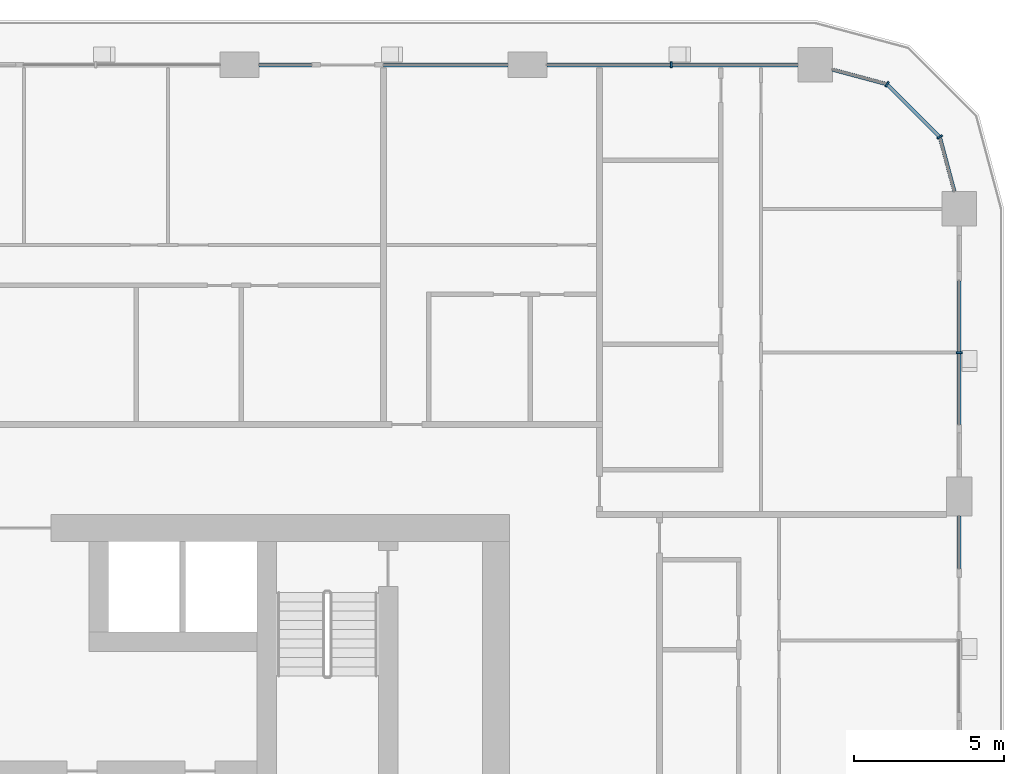
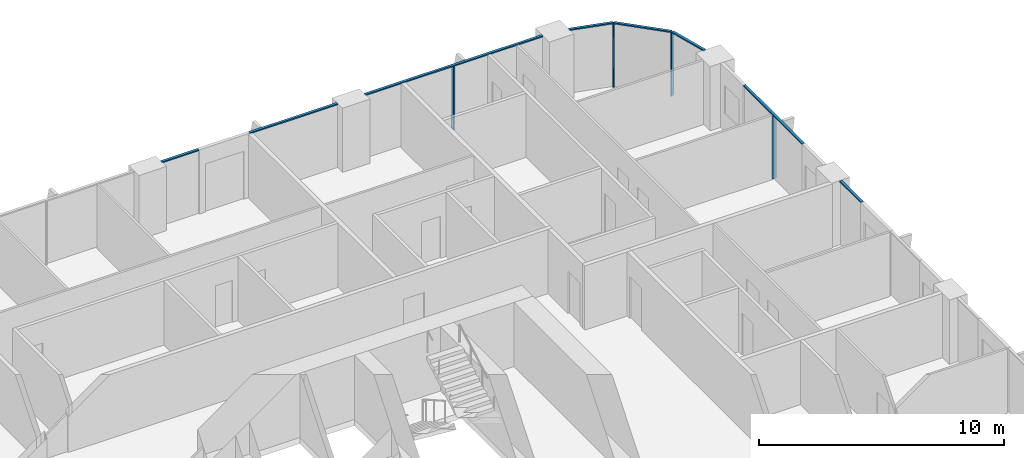
# One storey, part 6 of 21: 12 members, 5 elements without a shape of their own.
"""IFC4 building model written with IfcOpenShell, lengths in metres."""

from ifc_helpers import new_model, si_unit, direction, frame, origin, origin_2d, place, context, subcontext, project, spatial, rectangle, extrude, material, layer, layer_set, material_profile, profile_set, type_object, element, aggregate, save


model = new_model("IFC4")

# Units and contexts
model_context = context("Model", 3, precision=1e-05, world=origin(), true_north=direction((0.0, 1.0)))
body_context = subcontext(model_context, "Body", "Model", "MODEL_VIEW")
ifc_project = project(units=[si_unit("LENGTHUNIT", "METRE"), si_unit("AREAUNIT", "SQUARE_METRE"), si_unit("VOLUMEUNIT", "CUBIC_METRE"), si_unit("PLANEANGLEUNIT", "RADIAN"), si_unit("MASSUNIT", "GRAM", prefix="KILO")], contexts=[model_context])

# Site, building, storey
site_placement = place(None, origin())
site = spatial("IfcSite", under=ifc_project, at=site_placement, CompositionType="ELEMENT")
building_placement = place(site_placement, origin())
building = spatial("IfcBuilding", under=site, at=building_placement, Name="Madar Terraces", CompositionType="ELEMENT")
storey_placement = place(building_placement, frame((0.0, 0.0, 92.699951171875)))
storey = spatial("IfcBuildingStorey", under=building, at=storey_placement, Name="L23", CompositionType="ELEMENT", Elevation=92.699951171875)

# Curtain wall, member
ifc_material_1 = material(Name="Glass, ceramic frit dark grey, with black aluminium frame", Category="aluminium")
ifc_layer = layer(ifc_material_1, 0.199951171875)
ifc_layer_set = layer_set([ifc_layer], Name="Facade curtain wall, fritted glass")
curtain_wall_type = type_object("IfcCurtainWallType", Name="Facade curtain wall, fritted glass", PredefinedType="NOTDEFINED", material=ifc_layer_set)
curtain_wall_1_placement = place(storey_placement, origin())
curtain_wall_1 = element("IfcCurtainWall", 1, at=curtain_wall_1_placement, inside=storey, type_object=curtain_wall_type, Name="Outer skin curtain wall east bay 4", PredefinedType="NOTDEFINED")
ifc_material_2 = material(Name="Aluminium, black anodised", Category="aluminium")
ifc_material_profile_1 = material_profile(ifc_material_2, rectangle(XDim=0.199951171875, YDim=0.06005859375, at=origin_2d()), Name="Facade mullion 60x200")
ifc_profile_set_1 = profile_set([ifc_material_profile_1], Name="Aluminium, black anodised")
member_type_1 = type_object("IfcMemberType", Name="Facade mullion 60x200", PredefinedType="MULLION", material=ifc_profile_set_1)
member_1_placement = place(storey_placement, frame((62.39990234375, 43.199951171875, 0.0), z_axis=(0.0, 0.0, 1.0), x_axis=(-1.0, 0.0, 0.0)))
member_1 = element("IfcMember", 2, at=member_1_placement, type_object=member_type_1, Name="Mullion 1", PredefinedType="MULLION", context=body_context, shape_type="SweptSolid", body=[
    extrude(rectangle(XDim=0.199951171875, YDim=0.06005859375, at=origin_2d()), origin(), (0.0, 0.0, 1.0), 3.14013671875),
])

curtain_wall_2_placement = place(storey_placement, origin())
curtain_wall_2 = element("IfcCurtainWall", 3, at=curtain_wall_2_placement, inside=storey, type_object=curtain_wall_type, Name="Outer skin curtain wall north bay 1", PredefinedType="NOTDEFINED")
member_2_placement = place(storey_placement, frame((52.800048828125, 52.800048828125, 0.0), z_axis=(0.0, 0.0, 1.0), x_axis=(0.0, -1.0, 0.0)))
member_2 = element("IfcMember", 4, at=member_2_placement, type_object=member_type_1, Name="Mullion 1", PredefinedType="MULLION", context=body_context, shape_type="SweptSolid", body=[
    extrude(rectangle(XDim=0.199951171875, YDim=0.06005859375, at=origin_2d()), origin(), (0.0, 0.0, 1.0), 3.14013671875),
])

# Curtain wall, members
curtain_wall_3_placement = place(storey_placement, origin())
curtain_wall_3 = element("IfcCurtainWall", 5, at=curtain_wall_3_placement, inside=storey, type_object=curtain_wall_type, Name="Outer skin curtain wall north-east corner", PredefinedType="NOTDEFINED")
member_3_placement = place(storey_placement, frame((61.7568359375, 50.39990234375, 0.0), z_axis=(0.0, 0.0, 1.0), x_axis=(-0.866025409797, -0.499999989586, 0.0)))
member_3 = element("IfcMember", 6, at=member_3_placement, type_object=member_type_1, Name="Mullion 1", PredefinedType="MULLION", context=body_context, shape_type="SweptSolid", body=[
    extrude(rectangle(XDim=0.199951171875, YDim=0.06005859375, at=origin_2d()), origin(), (0.0, 0.0, 1.0), 3.14013671875),
])
member_4_placement = place(storey_placement, frame((60.0, 52.156982421875, 0.0), z_axis=(0.0, 0.0, 1.0), x_axis=(-0.499999989586, -0.866025409797, 0.0)))
member_4 = element("IfcMember", 7, at=member_4_placement, type_object=member_type_1, Name="Mullion 2", PredefinedType="MULLION", context=body_context, shape_type="SweptSolid", body=[
    extrude(rectangle(XDim=0.199951171875, YDim=0.06005859375, at=origin_2d()), origin(), (0.0, 0.0, 1.0), 3.14013671875),
])

# Curtain wall, member
curtain_wall_4_placement = place(storey_placement, origin())
curtain_wall_4 = element("IfcCurtainWall", 8, at=curtain_wall_4_placement, inside=storey, type_object=curtain_wall_type, Name="Outer skin curtain wall east bay 3", PredefinedType="NOTDEFINED")
ifc_material_3 = material(Name="Aluminium, black anodised", Category="aluminium")
ifc_material_profile_2 = material_profile(ifc_material_3, rectangle(XDim=0.1201171875, YDim=0.06005859375, at=origin_2d()), Name="Facade transom 60x120")
ifc_profile_set_2 = profile_set([ifc_material_profile_2], Name="Aluminium, black anodised")
member_type_2 = type_object("IfcMemberType", Name="Facade transom 60x120", PredefinedType="USERDEFINED", material=ifc_profile_set_2)
member_5_placement = place(storey_placement, frame((62.39990234375, 36.0, 3.170166015625), z_axis=(0.0, 1.0, 0.0), x_axis=(-1.0, 0.0, 0.0)))
member_5 = element("IfcMember", 9, at=member_5_placement, type_object=member_type_2, Name="Transom 2", ObjectType="TRANSOM", PredefinedType="USERDEFINED", context=body_context, shape_type="SweptSolid", body=[
    extrude(rectangle(XDim=0.1201171875, YDim=0.06005859375, at=origin_2d()), origin(), (0.0, 0.0, 1.0), 1.75),
])
aggregate(curtain_wall_4, [member_5])

# Member
member_6_placement = place(storey_placement, frame((62.39990234375, 40.800048828125, 3.170166015625), z_axis=(0.0, 1.0, 0.0), x_axis=(-1.0, 0.0, 0.0)))
member_6 = element("IfcMember", 10, at=member_6_placement, type_object=member_type_2, Name="Transom 1", ObjectType="TRANSOM", PredefinedType="USERDEFINED", context=body_context, shape_type="SweptSolid", body=[
    extrude(rectangle(XDim=0.1201171875, YDim=0.06005859375, at=origin_2d()), origin(), (0.0, 0.0, 1.0), 4.800048828125),
])

aggregate(curtain_wall_1, [member_1, member_6])

member_7_placement = place(storey_placement, frame((57.02490234375, 52.800048828125, 3.170166015625), z_axis=(-1.0, 0.0, 0.0), x_axis=(0.0, -1.0, 0.0)))
member_7 = element("IfcMember", 11, at=member_7_placement, type_object=member_type_2, Name="Transom 1", ObjectType="TRANSOM", PredefinedType="USERDEFINED", context=body_context, shape_type="SweptSolid", body=[
    extrude(rectangle(XDim=0.1201171875, YDim=0.06005859375, at=origin_2d()), origin(), (0.0, 0.0, 1.0), 8.375),
])

aggregate(curtain_wall_2, [member_2, member_7])

# Curtain wall, members
curtain_wall_5_placement = place(storey_placement, origin())
curtain_wall_5 = element("IfcCurtainWall", 12, at=curtain_wall_5_placement, inside=storey, type_object=curtain_wall_type, Name="Outer skin curtain wall north bay 2", PredefinedType="NOTDEFINED")
member_8_placement = place(storey_placement, frame((47.35009765625, 52.800048828125, 3.170166015625), z_axis=(-1.0, 0.0, 0.0), x_axis=(0.0, -1.0, 0.0)))
member_8 = element("IfcMember", 13, at=member_8_placement, type_object=member_type_2, Name="Transom 1", ObjectType="TRANSOM", PredefinedType="USERDEFINED", context=body_context, shape_type="SweptSolid", body=[
    extrude(rectangle(XDim=0.1201171875, YDim=0.06005859375, at=origin_2d()), origin(), (0.0, 0.0, 1.0), 4.150146484375),
])
member_9_placement = place(storey_placement, frame((40.800048828125, 52.800048828125, 3.170166015625), z_axis=(-1.0, 0.0, 0.0), x_axis=(0.0, -1.0, 0.0)))
member_9 = element("IfcMember", 14, at=member_9_placement, type_object=member_type_2, Name="Transom 2", ObjectType="TRANSOM", PredefinedType="USERDEFINED", context=body_context, shape_type="SweptSolid", body=[
    extrude(rectangle(XDim=0.1201171875, YDim=0.06005859375, at=origin_2d()), origin(), (0.0, 0.0, 1.0), 1.75),
])
aggregate(curtain_wall_5, [member_8, member_9])

# Member
member_10_placement = place(storey_placement, frame((62.245849609375, 48.574951171875, 3.170166015625), z_axis=(-0.258782024434, 0.965935745187, 0.0), x_axis=(-0.965935745187, -0.258782024434, 0.0)))
member_10 = element("IfcMember", 15, at=member_10_placement, type_object=member_type_2, Name="Transom 1", ObjectType="TRANSOM", PredefinedType="USERDEFINED", context=body_context, shape_type="SweptSolid", body=[
    extrude(rectangle(XDim=0.1201171875, YDim=0.06005859375, at=origin_2d()), origin(), (0.0, 0.0, 1.0), 1.859375),
])

member_11_placement = place(storey_placement, frame((61.735595703125, 50.421142578125, 3.170166015625), z_axis=(-0.707056433593, 0.707157125196, 0.0), x_axis=(-0.707157125196, -0.707056433593, 0.0)))
member_11 = element("IfcMember", 16, at=member_11_placement, type_object=member_type_2, Name="Transom 2", ObjectType="TRANSOM", PredefinedType="USERDEFINED", context=body_context, shape_type="SweptSolid", body=[
    extrude(rectangle(XDim=0.1201171875, YDim=0.06005859375, at=origin_2d()), origin(), (0.0, 0.0, 1.0), 2.424560546875),
])

member_12_placement = place(storey_placement, frame((59.970947265625, 52.164794921875, 3.170166015625), z_axis=(-0.965926950947, 0.258814847786, 0.0), x_axis=(-0.258814847786, -0.965926950947, 0.0)))
member_12 = element("IfcMember", 17, at=member_12_placement, type_object=member_type_2, Name="Transom 3", ObjectType="TRANSOM", PredefinedType="USERDEFINED", context=body_context, shape_type="SweptSolid", body=[
    extrude(rectangle(XDim=0.1201171875, YDim=0.06005859375, at=origin_2d()), origin(), (0.0, 0.0, 1.0), 1.859130859375),
])

aggregate(curtain_wall_3, [member_3, member_10, member_4, member_11, member_12])

save(model, "model.ifc")
